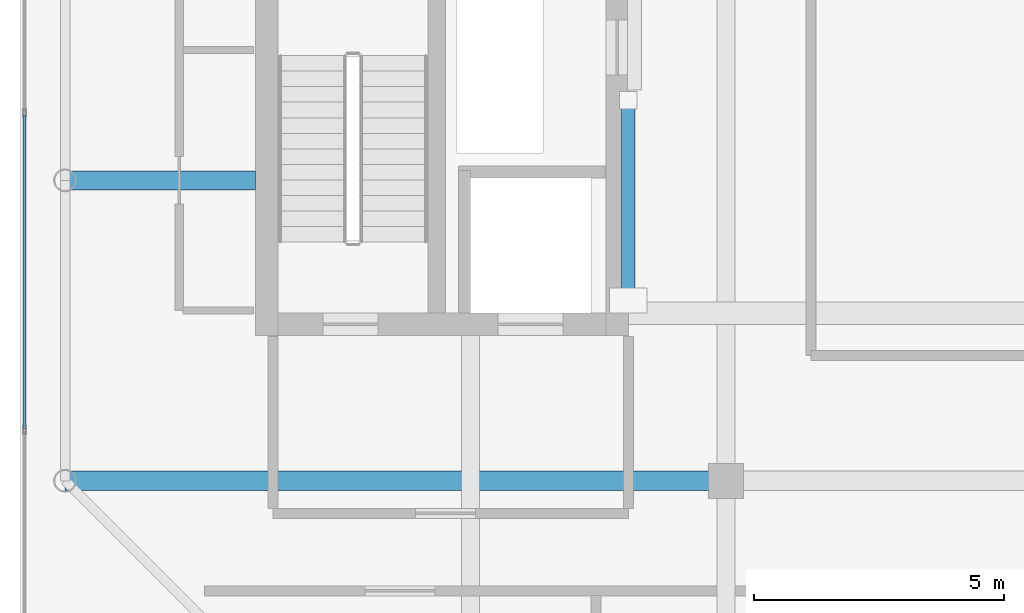
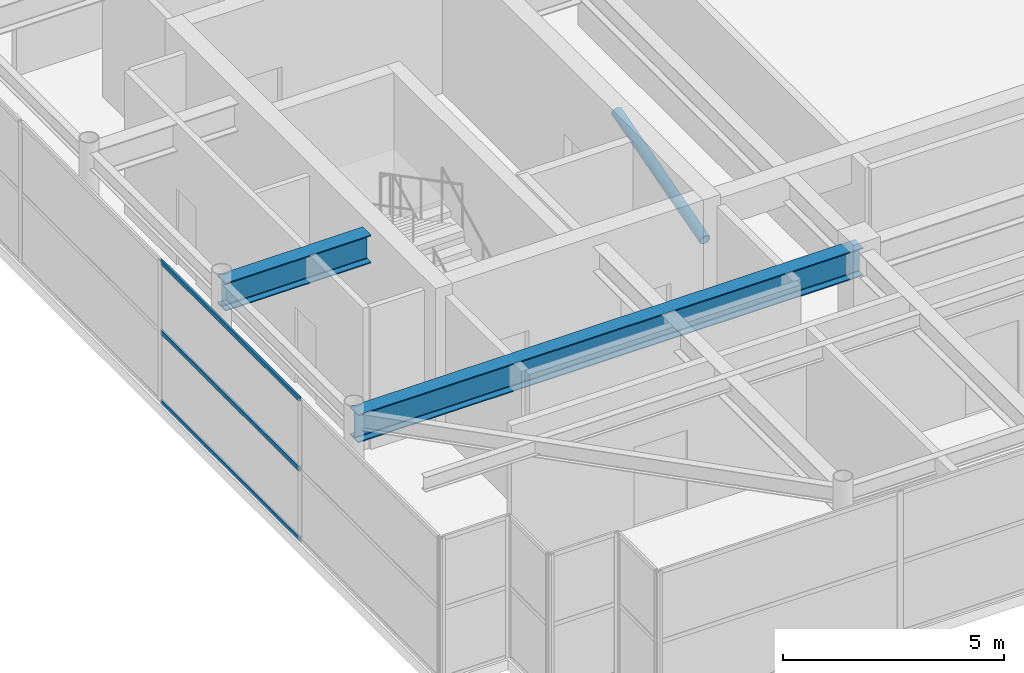
# One storey, part 6 of 32: 4 members, 2 beams, 1 element without a shape of its own.
"""IFC4 building model written with IfcOpenShell, lengths in metres."""

from ifc_helpers import new_model, si_unit, direction, frame, origin, origin_2d, place, context, subcontext, project, spatial, hollow_rectangle, hollow_circle, i_section, extrude, source, transform, mapped, material, layer, layer_set, material_profile, profile_set, type_object, element, aggregate, save


model = new_model("IFC4")

# Units and contexts
model_context = context("Model", 3, precision=1e-05, world=origin(), true_north=direction((0.0, 1.0)))
body_context = subcontext(model_context, "Body", "Model", "MODEL_VIEW")
ifc_project = project(units=[si_unit("LENGTHUNIT", "METRE"), si_unit("AREAUNIT", "SQUARE_METRE"), si_unit("VOLUMEUNIT", "CUBIC_METRE"), si_unit("PLANEANGLEUNIT", "RADIAN"), si_unit("MASSUNIT", "GRAM", prefix="KILO")], contexts=[model_context])

# Site, building, storey
site_placement = place(None, origin())
site = spatial("IfcSite", under=ifc_project, at=site_placement, CompositionType="ELEMENT")
building_placement = place(site_placement, origin())
building = spatial("IfcBuilding", under=site, at=building_placement, Name="Khoralis Quay Care Tower", CompositionType="ELEMENT")
storey_placement = place(building_placement, frame((0.0, 0.0, 310.5)))
storey = spatial("IfcBuildingStorey", under=building, at=storey_placement, Name="L81", CompositionType="ELEMENT", Elevation=310.5)

# Beams
ifc_material_1 = material(Name="Steel S355", Category="steel")
ifc_material_profile_1 = material_profile(ifc_material_1, i_section(OverallWidth=0.381103515625, OverallDepth=0.77294921875, WebThickness=0.0166015625, FlangeThickness=0.027587890625, FilletRadius=0.02197265625, at=origin_2d()), Name="Steel S355")
ifc_profile_set_1 = profile_set([ifc_material_profile_1], Name="Steel S355")
beam_type = type_object("IfcBeamType", Name="BM-W760X257", PredefinedType="BEAM", material=ifc_profile_set_1)
shared_shape_1 = source(origin(), body_context, "Body", "SweptSolid", [
    extrude(i_section(OverallWidth=0.381103515625, OverallDepth=0.77294921875, WebThickness=0.0166015625, FlangeThickness=0.027587890625, FilletRadius=0.02197265625, at=origin_2d()), origin(), (0.0, 0.0, 1.0), 13.2001953125),
])
beam_1_placement = place(storey_placement, frame((3.89990234375, 12.0, 3.533447265625), z_axis=(1.0, 0.0, 0.0), x_axis=(0.0, 1.0, 0.0)))
element("IfcBeam", 1, at=beam_1_placement, inside=storey, type_object=beam_type, Name="BM-TGXW-L81-120", PredefinedType="BEAM", context=body_context, shape_type="MappedRepresentation", body=[
    mapped(shared_shape_1, transform((0.0, 0.0, 0.0), scale=1.0)),
])
shared_shape_2 = source(origin(), body_context, "Body", "SweptSolid", [
    extrude(i_section(OverallWidth=0.381103515625, OverallDepth=0.77294921875, WebThickness=0.0166015625, FlangeThickness=0.027587890625, FilletRadius=0.02197265625, at=origin_2d()), origin(), (0.0, 0.0, 1.0), 3.802001953125),
])
beam_2_placement = place(storey_placement, frame((3.89990234375, 18.0, 3.533447265625), z_axis=(1.0, 0.0, 0.0), x_axis=(0.0, 1.0, 0.0)))
element("IfcBeam", 2, at=beam_2_placement, inside=storey, type_object=beam_type, Name="BM-TGXW-L81-180", PredefinedType="BEAM", context=body_context, shape_type="MappedRepresentation", body=[
    mapped(shared_shape_2, transform((0.0, 0.0, 0.0), scale=1.0)),
])

# Member
ifc_material_profile_2 = material_profile(ifc_material_1, hollow_circle(Radius=0.136474609375, WallThickness=0.012451171875, at=origin_2d()), Name="Steel S355")
ifc_profile_set_2 = profile_set([ifc_material_profile_2], Name="Steel S355")
member_type_1 = type_object("IfcMemberType", Name="ST-CHS273X12", PredefinedType="STRUT", material=ifc_profile_set_2)
shared_shape_3 = source(origin(), body_context, "Body", "SweptSolid", [
    extrude(hollow_circle(Radius=0.136474609375, WallThickness=0.012451171875, at=origin_2d()), origin(), (0.0, 0.0, 1.0), 4.156494140625),
])
member_1_placement = place(storey_placement, frame((15.14794921875, 15.60009765625, 2.52001953125), z_axis=(0.0, 0.962344148942, 0.2718340284), x_axis=(-1.0, 0.0, 0.0)))
element("IfcMember", 3, at=member_1_placement, inside=storey, type_object=member_type_1, Name="L81 Lantern Diagrid Strut 1", PredefinedType="STRUT", context=body_context, shape_type="MappedRepresentation", body=[
    mapped(shared_shape_3, transform((0.0, 0.0, 0.0), scale=1.0)),
])

# Curtain wall, members
ifc_material_2 = material(Name="Pale anodised aluminium", Category="aluminium")
ifc_layer = layer(ifc_material_2, 0.199951171875)
ifc_layer_set = layer_set([ifc_layer], Name="Pale anodised aluminium")
curtain_wall_type = type_object("IfcCurtainWallType", Name="CW-SYS-LANTERN", PredefinedType="NOTDEFINED", material=ifc_layer_set)
curtain_wall_placement = place(storey_placement, origin())
curtain_wall = element("IfcCurtainWall", 4, at=curtain_wall_placement, inside=storey, type_object=curtain_wall_type, Name="L81 Unitised Curtain Wall CW-LN-L81-16", PredefinedType="NOTDEFINED")
ifc_material_profile_3 = material_profile(ifc_material_2, hollow_rectangle(XDim=0.054931640625, YDim=0.1201171875, WallThickness=0.00390625, at=origin_2d()), Name="Pale anodised aluminium")
ifc_profile_set_3 = profile_set([ifc_material_profile_3], Name="Pale anodised aluminium")
member_type_2 = type_object("IfcMemberType", Name="CW-TRN-120", PredefinedType="USERDEFINED", material=ifc_profile_set_3)
shared_shape_4 = source(origin(), body_context, "Body", "SweptSolid", [
    extrude(hollow_rectangle(XDim=0.054931640625, YDim=0.1201171875, WallThickness=0.00390625, at=origin_2d()), origin(), (0.0, 0.0, 1.0), 6.26416015625),
])
member_2_placement = place(storey_placement, frame((3.090087890625, 19.30810546875, 0.030029296875), z_axis=(0.0, -1.0, 0.0), x_axis=(1.0, 0.0, 0.0)))
member_2 = element("IfcMember", 5, at=member_2_placement, type_object=member_type_2, Name="CW5 transom 4.1", ObjectType="TRANSOM", PredefinedType="USERDEFINED", context=body_context, shape_type="MappedRepresentation", body=[
    mapped(shared_shape_4, transform((0.0, 0.0, 0.0), scale=1.0)),
])
member_3_placement = place(storey_placement, frame((3.090087890625, 19.30810546875, 1.9599609375), z_axis=(0.0, -1.0, 0.0), x_axis=(1.0, 0.0, 0.0)))
member_3 = element("IfcMember", 6, at=member_3_placement, type_object=member_type_2, Name="CW5 transom 4.2", ObjectType="TRANSOM", PredefinedType="USERDEFINED", context=body_context, shape_type="MappedRepresentation", body=[
    mapped(shared_shape_4, transform((0.0, 0.0, 0.0), scale=1.0)),
])
member_4_placement = place(storey_placement, frame((3.090087890625, 19.30810546875, 3.889892578125), z_axis=(0.0, -1.0, 0.0), x_axis=(1.0, 0.0, 0.0)))
member_4 = element("IfcMember", 7, at=member_4_placement, type_object=member_type_2, Name="CW5 transom 4.3", ObjectType="TRANSOM", PredefinedType="USERDEFINED", context=body_context, shape_type="MappedRepresentation", body=[
    mapped(shared_shape_4, transform((0.0, 0.0, 0.0), scale=1.0)),
])
aggregate(curtain_wall, [member_2, member_3, member_4])

save(model, "model.ifc")
